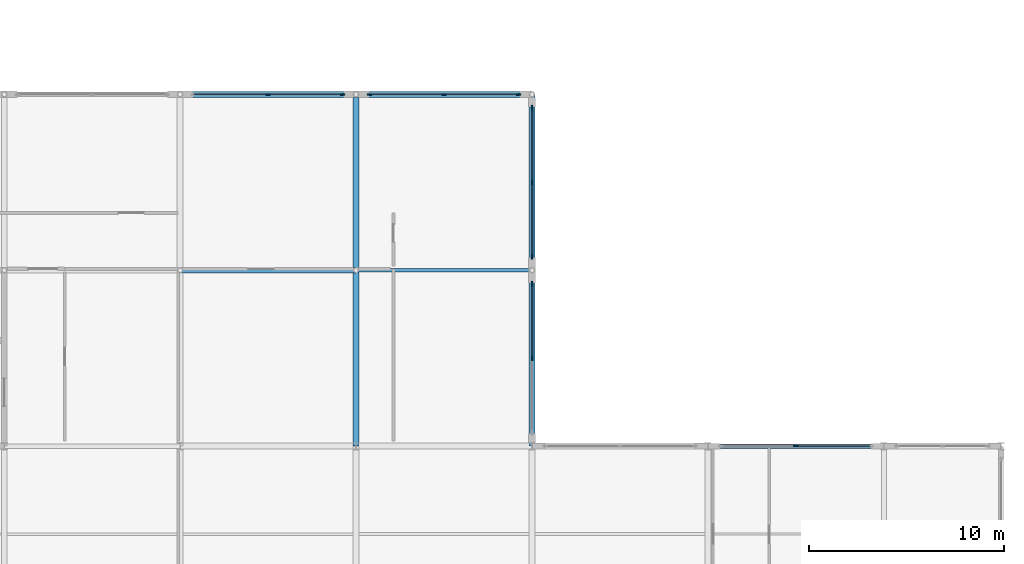
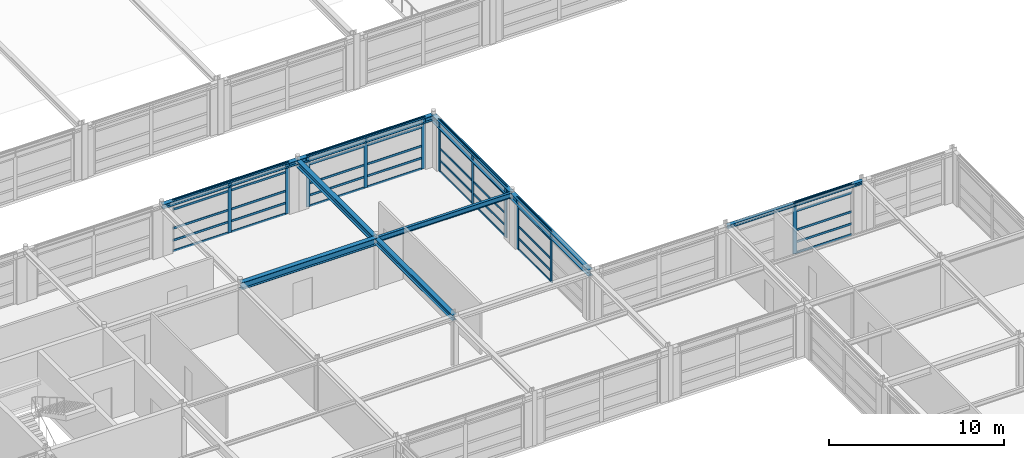
# One storey, part 45 of 79: 51 members, 9 beams, 5 elements without a shape of their own.
"""IFC4 building model written with IfcOpenShell, lengths in metres."""

import ifcopenshell
import ifcopenshell.guid

model = None  # the IFC model being written
_history = None  # IfcOwnerHistory: only IFC2X3 demands one
_inside = {}  # id of a spatial element -> (the spatial element, [elements in it])
_under = {}  # id of a project, library or spatial element -> (it, [spatial elements below it])
_declared = {}  # id of a project -> (the project, [libraries it declares])
_typed = {}  # id of a type object -> (the type object, [elements of that type])
_made_of = {}  # id of a material, layer set ... -> (it, [elements and type objects made of it])


def new_model(schema):
    """Start an empty IFC model of exactly this schema.

    Asked for "IFC4X3", IfcOpenShell would pick the latest addendum, in which some entities
    have other attributes; the version numbers below select the first issue.
    IFC2X3 requires an IfcOwnerHistory on every rooted entity: one is made here for all.
    """
    global model, _history
    if schema == "IFC4X3":
        model = ifcopenshell.file(schema_version=(4, 3, 0, 0))
    else:
        model = ifcopenshell.file(schema=schema)
    _inside.clear()
    _under.clear()
    _declared.clear()
    _typed.clear()
    _made_of.clear()
    _history = None
    if model.schema == "IFC2X3":
        org = make("IfcOrganization", Name="unknown")
        user = make(
            "IfcPersonAndOrganization",
            ThePerson=make("IfcPerson", FamilyName="unknown"),
            TheOrganization=org,
        )
        app = make(
            "IfcApplication",
            ApplicationDeveloper=org,
            Version="unknown",
            ApplicationFullName="unknown",
            ApplicationIdentifier="unknown",
        )
        _history = make(
            "IfcOwnerHistory",
            OwningUser=user,
            OwningApplication=app,
            ChangeAction="ADDED",
            CreationDate=0,
        )
    return model


def make(cls, **values):
    """One entity of the class cls with the attributes given. An attribute that is None is left unset."""
    return model.create_entity(
        cls, **{name: value for name, value in values.items() if value is not None}
    )


def rooted(cls, **values):
    """An entity with a GlobalId (a new one), such as an element, a storey or a relation."""
    return make(cls, GlobalId=ifcopenshell.guid.new(), OwnerHistory=_history, **values)


def si_unit(unit_type, name, prefix=None):
    """IfcSIUnit, for example si_unit("LENGTHUNIT", "METRE", prefix="MILLI")."""
    return make("IfcSIUnit", UnitType=unit_type, Prefix=prefix, Name=name)


def assignment(units):
    """IfcUnitAssignment: the units of a project."""
    return None if units is None else make("IfcUnitAssignment", Units=units)


def point(xyz):
    """IfcCartesianPoint."""
    return None if xyz is None else make("IfcCartesianPoint", Coordinates=xyz)


def direction(xyz):
    """IfcDirection."""
    return None if xyz is None else make("IfcDirection", DirectionRatios=xyz)


def frame(location, z_axis=None, x_axis=None):
    """IfcAxis2Placement3D, a coordinate frame: its origin and axes. An axis left out is left unset."""
    return make(
        "IfcAxis2Placement3D",
        Location=point(location),
        Axis=direction(z_axis),
        RefDirection=direction(x_axis),
    )


def frame_2d(location, x_axis=None):
    """IfcAxis2Placement2D, a coordinate frame in the plane: its origin and x axis."""
    return make(
        "IfcAxis2Placement2D", Location=point(location), RefDirection=direction(x_axis)
    )


def origin():
    """The frame at (0, 0, 0) with its axes left unset."""
    return frame((0.0, 0.0, 0.0))


def origin_2d():
    """The frame at (0, 0) in the plane with its x axis left unset."""
    return frame_2d((0.0, 0.0))


def place(relative_to, where):
    """IfcLocalPlacement: puts the frame where relative to a parent placement (None: the world)."""
    return make(
        "IfcLocalPlacement", PlacementRelTo=relative_to, RelativePlacement=where
    )


def context(
    kind, dimensions, precision=None, world=None, true_north=None, identifier=None
):
    """IfcGeometricRepresentationContext, for example the 3D "Model" context."""
    return make(
        "IfcGeometricRepresentationContext",
        ContextIdentifier=identifier,
        ContextType=kind,
        CoordinateSpaceDimension=dimensions,
        Precision=precision,
        WorldCoordinateSystem=world,
        TrueNorth=true_north,
    )


def subcontext(parent, identifier, kind, view, scale=None):
    """IfcGeometricRepresentationSubContext, for example "Body" below "Model"."""
    return make(
        "IfcGeometricRepresentationSubContext",
        ContextIdentifier=identifier,
        ContextType=kind,
        ParentContext=parent,
        TargetScale=scale,
        TargetView=view,
    )


def project(units=None, contexts=None):
    """IfcProject with its units and contexts."""
    return rooted(
        "IfcProject",
        Name="project",
        RepresentationContexts=contexts,
        UnitsInContext=assignment(units),
    )


def spatial(cls, under=None, at=None, **own):
    """A site, building, storey or space (cls), placed at a placement, below another one or the project."""
    s = rooted(cls, ObjectPlacement=at, **own)
    if under is not None:
        _under.setdefault(under.id(), (under, []))[1].append(s)
    return s


def profile(cls, at=None, kind="AREA", **sizes):
    """A parametric profile (cls). Its sizes go by their IFC names, for example OverallWidth=200.0."""
    return make(cls, ProfileType=kind, Position=at, **sizes)


def rectangle(**sizes):
    """IfcRectangleProfileDef."""
    return profile("IfcRectangleProfileDef", **sizes)


def i_section(**sizes):
    """IfcIShapeProfileDef."""
    return profile("IfcIShapeProfileDef", **sizes)


def extrude(swept, where, along, depth):
    """IfcExtrudedAreaSolid: the profile swept, set in the frame where, extruded along a direction by depth."""
    return make(
        "IfcExtrudedAreaSolid",
        SweptArea=swept,
        Position=where,
        ExtrudedDirection=direction(along),
        Depth=depth,
    )


def shape(context_of_items, identifier, shape_type, items):
    """IfcShapeRepresentation: the items that make up one representation, for example the "Body"."""
    return make(
        "IfcShapeRepresentation",
        ContextOfItems=context_of_items,
        RepresentationIdentifier=identifier,
        RepresentationType=shape_type,
        Items=items,
    )


def material(Name=None, Category=None):
    """IfcMaterial."""
    return make("IfcMaterial", Name=Name, Category=Category)


def material_profile(
    of_material, cross_section, Name=None, Category=None, Priority=None
):
    """IfcMaterialProfile: a cross section and its material."""
    return make(
        "IfcMaterialProfile",
        Name=Name,
        Material=of_material,
        Profile=cross_section,
        Priority=Priority,
        Category=Category,
    )


def profile_set(profiles, Name=None, composite=None):
    """IfcMaterialProfileSet."""
    return make(
        "IfcMaterialProfileSet",
        Name=Name,
        MaterialProfiles=profiles,
        CompositeProfile=composite,
    )


def made_of(thing, what):
    """Note that an element or type object is made of a material, layer set ...; save() writes the relation."""
    if what is not None:
        _made_of.setdefault(what.id(), (what, []))[1].append(thing)
    return thing


def type_object(cls, material=None, **own):
    """A type object (cls), such as IfcWallType, which elements share."""
    return made_of(rooted(cls, **own), material)


def element(
    cls,
    number,
    at=None,
    inside=None,
    cuts=None,
    type_object=None,
    material=None,
    context=None,
    identifier="Body",
    shape_type=None,
    held_by="IfcProductDefinitionShape",
    body=None,
    shapes=None,
    **own,
):
    """One element of the class cls, such as IfcWall. Its Tag is "e" and its number.

    at: its placement. inside: the storey or other place that contains it. cuts: it is an
    opening in that element (IfcRelVoidsElement). A single representation is given by context,
    identifier, shape_type and body (its items); several are given by shapes. held_by: the class
    of the entity that holds the representations. save() writes the other relations.
    """
    e = rooted(cls, Tag="e%d" % number, ObjectPlacement=at, **own)
    if body is not None:
        shapes = [shape(context, identifier, shape_type, body)]
    if shapes is not None:
        e.Representation = make(held_by, Representations=shapes)
    if inside is not None:
        _inside.setdefault(inside.id(), (inside, []))[1].append(e)
    if cuts is not None:
        rooted(
            "IfcRelVoidsElement", RelatingBuildingElement=cuts, RelatedOpeningElement=e
        )
    if type_object is not None:
        _typed.setdefault(type_object.id(), (type_object, []))[1].append(e)
    return made_of(e, material)


def aggregate(whole, parts):
    """IfcRelAggregates: a whole, such as a stair, and the parts it consists of."""
    return rooted("IfcRelAggregates", RelatingObject=whole, RelatedObjects=parts)


def save(model, path):
    """Write the relations noted so far, then the file.

    IfcRelAggregates (storeys below a building ...), IfcRelContainedInSpatialStructure (elements
    in a storey), IfcRelDefinesByType, IfcRelAssociatesMaterial and IfcRelDeclares: one each for
    every whole, place, type object, material and project.
    """
    for whole, parts in _under.values():
        aggregate(whole, parts)
    for where, things in _inside.values():
        rooted(
            "IfcRelContainedInSpatialStructure",
            RelatedElements=things,
            RelatingStructure=where,
        )
    for kind, things in _typed.values():
        rooted("IfcRelDefinesByType", RelatedObjects=things, RelatingType=kind)
    for what, things in _made_of.values():
        rooted("IfcRelAssociatesMaterial", RelatedObjects=things, RelatingMaterial=what)
    for by, libraries in _declared.values():
        rooted("IfcRelDeclares", RelatingContext=by, RelatedDefinitions=libraries)
    model.write(path)


model = new_model("IFC4")

# Units and contexts
model_context = context("Model", 3, precision=1e-05, world=origin(), true_north=direction((0.0, 1.0)))
body_context = subcontext(model_context, "Body", "Model", "MODEL_VIEW")
ifc_project = project(units=[si_unit("LENGTHUNIT", "METRE"), si_unit("AREAUNIT", "SQUARE_METRE"), si_unit("VOLUMEUNIT", "CUBIC_METRE"), si_unit("PLANEANGLEUNIT", "RADIAN"), si_unit("MASSUNIT", "GRAM", prefix="KILO")], contexts=[model_context])

# Site, building, storey
site_placement = place(None, origin())
site = spatial("IfcSite", under=ifc_project, at=site_placement, CompositionType="ELEMENT")
building_placement = place(site_placement, origin())
building = spatial("IfcBuilding", under=site, at=building_placement, Name="Palais des Congres Ocreval", CompositionType="ELEMENT")
storey_placement = place(building_placement, frame((0.0, 0.0, 4.320068359375)))
storey = spatial("IfcBuildingStorey", under=building, at=storey_placement, Name="L01", CompositionType="ELEMENT", Elevation=4.320068359375)

# Beam
ifc_material_1 = material(Name="Steel S355", Category="steel")
ifc_material_profile_1 = material_profile(ifc_material_1, i_section(OverallWidth=0.169921875, OverallDepth=0.360107421875, WebThickness=0.008056640625, FlangeThickness=0.0126953125, at=origin_2d()), Name="IPE 360")
ifc_profile_set_1 = profile_set([ifc_material_profile_1], Name="Steel S355")
beam_type_1 = type_object("IfcBeamType", Name="Composite Beam IPE 360 Steel S355", PredefinedType="BEAM", material=ifc_profile_set_1)
beam_1_placement = place(storey_placement, frame((135.02001953125, 54.0, 3.39990234375), z_axis=(1.0, 0.0, 0.0), x_axis=(0.0, 1.0, 0.0)))
element("IfcBeam", 1, at=beam_1_placement, inside=storey, type_object=beam_type_1, Name="Beam B01 L01", PredefinedType="BEAM", context=body_context, shape_type="SweptSolid", body=[
    extrude(i_section(OverallWidth=0.169921875, OverallDepth=0.360107421875, WebThickness=0.008056640625, FlangeThickness=0.0126953125, at=origin_2d()), origin(), (0.0, 0.0, 1.0), 8.9599609375),
])

# Curtain wall, members
ifc_material_2 = material(Name="Anodized bronze aluminium and low-E glass", Category="glass")
curtain_wall_type = type_object("IfcCurtainWallType", Name="Unitised Curtain Wall 7900x3660", PredefinedType="USERDEFINED", material=ifc_material_2)
curtain_wall_1_placement = place(storey_placement, origin())
curtain_wall_1 = element("IfcCurtainWall", 2, at=curtain_wall_1_placement, inside=storey, type_object=curtain_wall_type, Name="Unitised Curtain Wall CW02 L01", ObjectType="UNITISED CURTAIN WALL", PredefinedType="USERDEFINED")
ifc_material_3 = material(Name="Anodized bronze aluminium", Category="aluminium")
ifc_material_profile_2 = material_profile(ifc_material_3, rectangle(XDim=0.074951171875, YDim=0.239990234375, at=origin_2d()), Name="ALU 75x240")
ifc_profile_set_2 = profile_set([ifc_material_profile_2], Name="Anodized bronze aluminium")
member_type_1 = type_object("IfcMemberType", Name="Curtain Wall Mullion ALU 75x240", PredefinedType="MULLION", material=ifc_profile_set_2)
member_1_placement = place(storey_placement, frame((130.5, 63.0, 0.0), z_axis=(0.0, 0.0, 1.0), x_axis=(0.0, 1.0, 0.0)))
member_1 = element("IfcMember", 3, at=member_1_placement, type_object=member_type_1, Name="Curtain Wall Mullion ML01", PredefinedType="MULLION", context=body_context, shape_type="SweptSolid", body=[
    extrude(rectangle(XDim=0.074951171875, YDim=0.239990234375, at=origin_2d()), origin(), (0.0, 0.0, 1.0), 3.58984375),
])
member_2_placement = place(storey_placement, frame((134.3125, 63.0, 0.0), z_axis=(0.0, 0.0, 1.0), x_axis=(0.0, 1.0, 0.0)))
member_2 = element("IfcMember", 4, at=member_2_placement, type_object=member_type_1, Name="Curtain Wall Mullion ML01", PredefinedType="MULLION", context=body_context, shape_type="SweptSolid", body=[
    extrude(rectangle(XDim=0.074951171875, YDim=0.239990234375, at=origin_2d()), origin(), (0.0, 0.0, 1.0), 3.58984375),
])

curtain_wall_2_placement = place(storey_placement, origin())
curtain_wall_2 = element("IfcCurtainWall", 5, at=curtain_wall_2_placement, inside=storey, type_object=curtain_wall_type, Name="Unitised Curtain Wall CW02 L01", ObjectType="UNITISED CURTAIN WALL", PredefinedType="USERDEFINED")
member_3_placement = place(storey_placement, frame((135.6875, 63.0, 0.0), z_axis=(0.0, 0.0, 1.0), x_axis=(0.0, 1.0, 0.0)))
member_3 = element("IfcMember", 6, at=member_3_placement, type_object=member_type_1, Name="Curtain Wall Mullion ML01", PredefinedType="MULLION", context=body_context, shape_type="SweptSolid", body=[
    extrude(rectangle(XDim=0.074951171875, YDim=0.239990234375, at=origin_2d()), origin(), (0.0, 0.0, 1.0), 3.58984375),
])
member_4_placement = place(storey_placement, frame((139.5, 63.0, 0.0), z_axis=(0.0, 0.0, 1.0), x_axis=(0.0, 1.0, 0.0)))
member_4 = element("IfcMember", 7, at=member_4_placement, type_object=member_type_1, Name="Curtain Wall Mullion ML01", PredefinedType="MULLION", context=body_context, shape_type="SweptSolid", body=[
    extrude(rectangle(XDim=0.074951171875, YDim=0.239990234375, at=origin_2d()), origin(), (0.0, 0.0, 1.0), 3.58984375),
])
member_5_placement = place(storey_placement, frame((143.3125, 63.0, 0.0), z_axis=(0.0, 0.0, 1.0), x_axis=(0.0, 1.0, 0.0)))
member_5 = element("IfcMember", 8, at=member_5_placement, type_object=member_type_1, Name="Curtain Wall Mullion ML01", PredefinedType="MULLION", context=body_context, shape_type="SweptSolid", body=[
    extrude(rectangle(XDim=0.074951171875, YDim=0.239990234375, at=origin_2d()), origin(), (0.0, 0.0, 1.0), 3.58984375),
])

curtain_wall_3_placement = place(storey_placement, origin())
curtain_wall_3 = element("IfcCurtainWall", 9, at=curtain_wall_3_placement, inside=storey, type_object=curtain_wall_type, Name="Unitised Curtain Wall CW02 L01", ObjectType="UNITISED CURTAIN WALL", PredefinedType="USERDEFINED")
member_6_placement = place(storey_placement, frame((144.0, 62.3125, 0.0), z_axis=(0.0, 0.0, 1.0), x_axis=(1.0, 0.0, 0.0)))
member_6 = element("IfcMember", 10, at=member_6_placement, type_object=member_type_1, Name="Curtain Wall Mullion ML01", PredefinedType="MULLION", context=body_context, shape_type="SweptSolid", body=[
    extrude(rectangle(XDim=0.074951171875, YDim=0.239990234375, at=origin_2d()), origin(), (0.0, 0.0, 1.0), 3.58984375),
])
member_7_placement = place(storey_placement, frame((144.0, 58.5, 0.0), z_axis=(0.0, 0.0, 1.0), x_axis=(1.0, 0.0, 0.0)))
member_7 = element("IfcMember", 11, at=member_7_placement, type_object=member_type_1, Name="Curtain Wall Mullion ML01", PredefinedType="MULLION", context=body_context, shape_type="SweptSolid", body=[
    extrude(rectangle(XDim=0.074951171875, YDim=0.239990234375, at=origin_2d()), origin(), (0.0, 0.0, 1.0), 3.58984375),
])
member_8_placement = place(storey_placement, frame((144.0, 54.6875, 0.0), z_axis=(0.0, 0.0, 1.0), x_axis=(1.0, 0.0, 0.0)))
member_8 = element("IfcMember", 12, at=member_8_placement, type_object=member_type_1, Name="Curtain Wall Mullion ML01", PredefinedType="MULLION", context=body_context, shape_type="SweptSolid", body=[
    extrude(rectangle(XDim=0.074951171875, YDim=0.239990234375, at=origin_2d()), origin(), (0.0, 0.0, 1.0), 3.58984375),
])

curtain_wall_4_placement = place(storey_placement, origin())
curtain_wall_4 = element("IfcCurtainWall", 13, at=curtain_wall_4_placement, inside=storey, type_object=curtain_wall_type, Name="Unitised Curtain Wall CW02 L01", ObjectType="UNITISED CURTAIN WALL", PredefinedType="USERDEFINED")
member_9_placement = place(storey_placement, frame((144.0, 53.3125, 0.0), z_axis=(0.0, 0.0, 1.0), x_axis=(1.0, 0.0, 0.0)))
member_9 = element("IfcMember", 14, at=member_9_placement, type_object=member_type_1, Name="Curtain Wall Mullion ML01", PredefinedType="MULLION", context=body_context, shape_type="SweptSolid", body=[
    extrude(rectangle(XDim=0.074951171875, YDim=0.239990234375, at=origin_2d()), origin(), (0.0, 0.0, 1.0), 3.58984375),
])
member_10_placement = place(storey_placement, frame((144.0, 49.5, 0.0), z_axis=(0.0, 0.0, 1.0), x_axis=(1.0, 0.0, 0.0)))
member_10 = element("IfcMember", 15, at=member_10_placement, type_object=member_type_1, Name="Curtain Wall Mullion ML01", PredefinedType="MULLION", context=body_context, shape_type="SweptSolid", body=[
    extrude(rectangle(XDim=0.074951171875, YDim=0.239990234375, at=origin_2d()), origin(), (0.0, 0.0, 1.0), 3.58984375),
])

# Curtain wall, member
curtain_wall_5_placement = place(storey_placement, origin())
curtain_wall_5 = element("IfcCurtainWall", 16, at=curtain_wall_5_placement, inside=storey, type_object=curtain_wall_type, Name="Unitised Curtain Wall CW02 L01", ObjectType="UNITISED CURTAIN WALL", PredefinedType="USERDEFINED")
member_11_placement = place(storey_placement, frame((157.5, 45.0, 0.0), z_axis=(0.0, 0.0, 1.0), x_axis=(0.0, 1.0, 0.0)))
member_11 = element("IfcMember", 17, at=member_11_placement, type_object=member_type_1, Name="Curtain Wall Mullion ML01", PredefinedType="MULLION", context=body_context, shape_type="SweptSolid", body=[
    extrude(rectangle(XDim=0.074951171875, YDim=0.239990234375, at=origin_2d()), origin(), (0.0, 0.0, 1.0), 3.599853515625),
])

# Member
ifc_material_profile_3 = material_profile(ifc_material_3, rectangle(XDim=0.06005859375, YDim=0.14990234375, at=origin_2d()), Name="ALU 60x150")
ifc_profile_set_3 = profile_set([ifc_material_profile_3], Name="Anodized bronze aluminium")
member_type_2 = type_object("IfcMemberType", Name="Curtain Wall Transom ALU 60x150", PredefinedType="USERDEFINED", material=ifc_profile_set_3)
member_12_placement = place(storey_placement, frame((126.72509765625, 63.0, 0.030029296875), z_axis=(1.0, 0.0, 0.0), x_axis=(0.0, 1.0, 0.0)))
member_12 = element("IfcMember", 18, at=member_12_placement, type_object=member_type_2, Name="Curtain Wall Transom TR01", ObjectType="TRANSOM", PredefinedType="USERDEFINED", context=body_context, shape_type="SweptSolid", body=[
    extrude(rectangle(XDim=0.06005859375, YDim=0.14990234375, at=origin_2d()), origin(), (0.0, 0.0, 1.0), 3.7373046875),
])

member_13_placement = place(storey_placement, frame((126.72509765625, 63.0, 0.780029296875), z_axis=(1.0, 0.0, 0.0), x_axis=(0.0, 1.0, 0.0)))
member_13 = element("IfcMember", 19, at=member_13_placement, type_object=member_type_2, Name="Curtain Wall Transom TR01", ObjectType="TRANSOM", PredefinedType="USERDEFINED", context=body_context, shape_type="SweptSolid", body=[
    extrude(rectangle(XDim=0.06005859375, YDim=0.14990234375, at=origin_2d()), origin(), (0.0, 0.0, 1.0), 3.7373046875),
])

member_14_placement = place(storey_placement, frame((126.72509765625, 63.0, 1.616943359375), z_axis=(1.0, 0.0, 0.0), x_axis=(0.0, 1.0, 0.0)))
member_14 = element("IfcMember", 20, at=member_14_placement, type_object=member_type_2, Name="Curtain Wall Transom TR01", ObjectType="TRANSOM", PredefinedType="USERDEFINED", context=body_context, shape_type="SweptSolid", body=[
    extrude(rectangle(XDim=0.06005859375, YDim=0.14990234375, at=origin_2d()), origin(), (0.0, 0.0, 1.0), 3.7373046875),
])

member_15_placement = place(storey_placement, frame((126.72509765625, 63.0, 2.93994140625), z_axis=(1.0, 0.0, 0.0), x_axis=(0.0, 1.0, 0.0)))
member_15 = element("IfcMember", 21, at=member_15_placement, type_object=member_type_2, Name="Curtain Wall Transom TR01", ObjectType="TRANSOM", PredefinedType="USERDEFINED", context=body_context, shape_type="SweptSolid", body=[
    extrude(rectangle(XDim=0.06005859375, YDim=0.14990234375, at=origin_2d()), origin(), (0.0, 0.0, 1.0), 3.7373046875),
])

member_16_placement = place(storey_placement, frame((126.72509765625, 63.0, 3.559814453125), z_axis=(1.0, 0.0, 0.0), x_axis=(0.0, 1.0, 0.0)))
member_16 = element("IfcMember", 22, at=member_16_placement, type_object=member_type_2, Name="Curtain Wall Transom TR01", ObjectType="TRANSOM", PredefinedType="USERDEFINED", context=body_context, shape_type="SweptSolid", body=[
    extrude(rectangle(XDim=0.06005859375, YDim=0.14990234375, at=origin_2d()), origin(), (0.0, 0.0, 1.0), 3.7373046875),
])

member_17_placement = place(storey_placement, frame((130.53759765625, 63.0, 0.030029296875), z_axis=(1.0, 0.0, 0.0), x_axis=(0.0, 1.0, 0.0)))
member_17 = element("IfcMember", 23, at=member_17_placement, type_object=member_type_2, Name="Curtain Wall Transom TR01", ObjectType="TRANSOM", PredefinedType="USERDEFINED", context=body_context, shape_type="SweptSolid", body=[
    extrude(rectangle(XDim=0.06005859375, YDim=0.14990234375, at=origin_2d()), origin(), (0.0, 0.0, 1.0), 3.7373046875),
])

member_18_placement = place(storey_placement, frame((130.53759765625, 63.0, 0.780029296875), z_axis=(1.0, 0.0, 0.0), x_axis=(0.0, 1.0, 0.0)))
member_18 = element("IfcMember", 24, at=member_18_placement, type_object=member_type_2, Name="Curtain Wall Transom TR01", ObjectType="TRANSOM", PredefinedType="USERDEFINED", context=body_context, shape_type="SweptSolid", body=[
    extrude(rectangle(XDim=0.06005859375, YDim=0.14990234375, at=origin_2d()), origin(), (0.0, 0.0, 1.0), 3.7373046875),
])

member_19_placement = place(storey_placement, frame((130.53759765625, 63.0, 1.616943359375), z_axis=(1.0, 0.0, 0.0), x_axis=(0.0, 1.0, 0.0)))
member_19 = element("IfcMember", 25, at=member_19_placement, type_object=member_type_2, Name="Curtain Wall Transom TR01", ObjectType="TRANSOM", PredefinedType="USERDEFINED", context=body_context, shape_type="SweptSolid", body=[
    extrude(rectangle(XDim=0.06005859375, YDim=0.14990234375, at=origin_2d()), origin(), (0.0, 0.0, 1.0), 3.7373046875),
])

member_20_placement = place(storey_placement, frame((130.53759765625, 63.0, 2.93994140625), z_axis=(1.0, 0.0, 0.0), x_axis=(0.0, 1.0, 0.0)))
member_20 = element("IfcMember", 26, at=member_20_placement, type_object=member_type_2, Name="Curtain Wall Transom TR01", ObjectType="TRANSOM", PredefinedType="USERDEFINED", context=body_context, shape_type="SweptSolid", body=[
    extrude(rectangle(XDim=0.06005859375, YDim=0.14990234375, at=origin_2d()), origin(), (0.0, 0.0, 1.0), 3.7373046875),
])

member_21_placement = place(storey_placement, frame((130.53759765625, 63.0, 3.559814453125), z_axis=(1.0, 0.0, 0.0), x_axis=(0.0, 1.0, 0.0)))
member_21 = element("IfcMember", 27, at=member_21_placement, type_object=member_type_2, Name="Curtain Wall Transom TR01", ObjectType="TRANSOM", PredefinedType="USERDEFINED", context=body_context, shape_type="SweptSolid", body=[
    extrude(rectangle(XDim=0.06005859375, YDim=0.14990234375, at=origin_2d()), origin(), (0.0, 0.0, 1.0), 3.7373046875),
])

aggregate(curtain_wall_1, [member_1, member_2, member_12, member_13, member_14, member_15, member_16, member_17, member_18, member_19, member_20, member_21])

member_22_placement = place(storey_placement, frame((135.72509765625, 63.0, 0.030029296875), z_axis=(1.0, 0.0, 0.0), x_axis=(0.0, 1.0, 0.0)))
member_22 = element("IfcMember", 28, at=member_22_placement, type_object=member_type_2, Name="Curtain Wall Transom TR01", ObjectType="TRANSOM", PredefinedType="USERDEFINED", context=body_context, shape_type="SweptSolid", body=[
    extrude(rectangle(XDim=0.06005859375, YDim=0.14990234375, at=origin_2d()), origin(), (0.0, 0.0, 1.0), 3.7373046875),
])

member_23_placement = place(storey_placement, frame((135.72509765625, 63.0, 0.780029296875), z_axis=(1.0, 0.0, 0.0), x_axis=(0.0, 1.0, 0.0)))
member_23 = element("IfcMember", 29, at=member_23_placement, type_object=member_type_2, Name="Curtain Wall Transom TR01", ObjectType="TRANSOM", PredefinedType="USERDEFINED", context=body_context, shape_type="SweptSolid", body=[
    extrude(rectangle(XDim=0.06005859375, YDim=0.14990234375, at=origin_2d()), origin(), (0.0, 0.0, 1.0), 3.7373046875),
])

member_24_placement = place(storey_placement, frame((135.72509765625, 63.0, 1.616943359375), z_axis=(1.0, 0.0, 0.0), x_axis=(0.0, 1.0, 0.0)))
member_24 = element("IfcMember", 30, at=member_24_placement, type_object=member_type_2, Name="Curtain Wall Transom TR01", ObjectType="TRANSOM", PredefinedType="USERDEFINED", context=body_context, shape_type="SweptSolid", body=[
    extrude(rectangle(XDim=0.06005859375, YDim=0.14990234375, at=origin_2d()), origin(), (0.0, 0.0, 1.0), 3.7373046875),
])

member_25_placement = place(storey_placement, frame((135.72509765625, 63.0, 2.93994140625), z_axis=(1.0, 0.0, 0.0), x_axis=(0.0, 1.0, 0.0)))
member_25 = element("IfcMember", 31, at=member_25_placement, type_object=member_type_2, Name="Curtain Wall Transom TR01", ObjectType="TRANSOM", PredefinedType="USERDEFINED", context=body_context, shape_type="SweptSolid", body=[
    extrude(rectangle(XDim=0.06005859375, YDim=0.14990234375, at=origin_2d()), origin(), (0.0, 0.0, 1.0), 3.7373046875),
])

member_26_placement = place(storey_placement, frame((135.72509765625, 63.0, 3.559814453125), z_axis=(1.0, 0.0, 0.0), x_axis=(0.0, 1.0, 0.0)))
member_26 = element("IfcMember", 32, at=member_26_placement, type_object=member_type_2, Name="Curtain Wall Transom TR01", ObjectType="TRANSOM", PredefinedType="USERDEFINED", context=body_context, shape_type="SweptSolid", body=[
    extrude(rectangle(XDim=0.06005859375, YDim=0.14990234375, at=origin_2d()), origin(), (0.0, 0.0, 1.0), 3.7373046875),
])

member_27_placement = place(storey_placement, frame((139.53759765625, 63.0, 0.030029296875), z_axis=(1.0, 0.0, 0.0), x_axis=(0.0, 1.0, 0.0)))
member_27 = element("IfcMember", 33, at=member_27_placement, type_object=member_type_2, Name="Curtain Wall Transom TR01", ObjectType="TRANSOM", PredefinedType="USERDEFINED", context=body_context, shape_type="SweptSolid", body=[
    extrude(rectangle(XDim=0.06005859375, YDim=0.14990234375, at=origin_2d()), origin(), (0.0, 0.0, 1.0), 3.7373046875),
])

member_28_placement = place(storey_placement, frame((139.53759765625, 63.0, 0.780029296875), z_axis=(1.0, 0.0, 0.0), x_axis=(0.0, 1.0, 0.0)))
member_28 = element("IfcMember", 34, at=member_28_placement, type_object=member_type_2, Name="Curtain Wall Transom TR01", ObjectType="TRANSOM", PredefinedType="USERDEFINED", context=body_context, shape_type="SweptSolid", body=[
    extrude(rectangle(XDim=0.06005859375, YDim=0.14990234375, at=origin_2d()), origin(), (0.0, 0.0, 1.0), 3.7373046875),
])

member_29_placement = place(storey_placement, frame((139.53759765625, 63.0, 1.616943359375), z_axis=(1.0, 0.0, 0.0), x_axis=(0.0, 1.0, 0.0)))
member_29 = element("IfcMember", 35, at=member_29_placement, type_object=member_type_2, Name="Curtain Wall Transom TR01", ObjectType="TRANSOM", PredefinedType="USERDEFINED", context=body_context, shape_type="SweptSolid", body=[
    extrude(rectangle(XDim=0.06005859375, YDim=0.14990234375, at=origin_2d()), origin(), (0.0, 0.0, 1.0), 3.7373046875),
])

member_30_placement = place(storey_placement, frame((139.53759765625, 63.0, 2.93994140625), z_axis=(1.0, 0.0, 0.0), x_axis=(0.0, 1.0, 0.0)))
member_30 = element("IfcMember", 36, at=member_30_placement, type_object=member_type_2, Name="Curtain Wall Transom TR01", ObjectType="TRANSOM", PredefinedType="USERDEFINED", context=body_context, shape_type="SweptSolid", body=[
    extrude(rectangle(XDim=0.06005859375, YDim=0.14990234375, at=origin_2d()), origin(), (0.0, 0.0, 1.0), 3.7373046875),
])

member_31_placement = place(storey_placement, frame((139.53759765625, 63.0, 3.559814453125), z_axis=(1.0, 0.0, 0.0), x_axis=(0.0, 1.0, 0.0)))
member_31 = element("IfcMember", 37, at=member_31_placement, type_object=member_type_2, Name="Curtain Wall Transom TR01", ObjectType="TRANSOM", PredefinedType="USERDEFINED", context=body_context, shape_type="SweptSolid", body=[
    extrude(rectangle(XDim=0.06005859375, YDim=0.14990234375, at=origin_2d()), origin(), (0.0, 0.0, 1.0), 3.7373046875),
])

aggregate(curtain_wall_2, [member_3, member_4, member_5, member_22, member_23, member_24, member_25, member_26, member_27, member_28, member_29, member_30, member_31])

member_32_placement = place(storey_placement, frame((144.0, 62.27490234375, 0.030029296875), z_axis=(0.0, -1.0, 0.0), x_axis=(1.0, 0.0, 0.0)))
member_32 = element("IfcMember", 38, at=member_32_placement, type_object=member_type_2, Name="Curtain Wall Transom TR01", ObjectType="TRANSOM", PredefinedType="USERDEFINED", context=body_context, shape_type="SweptSolid", body=[
    extrude(rectangle(XDim=0.06005859375, YDim=0.14990234375, at=origin_2d()), origin(), (0.0, 0.0, 1.0), 3.7373046875),
])

member_33_placement = place(storey_placement, frame((144.0, 62.27490234375, 0.780029296875), z_axis=(0.0, -1.0, 0.0), x_axis=(1.0, 0.0, 0.0)))
member_33 = element("IfcMember", 39, at=member_33_placement, type_object=member_type_2, Name="Curtain Wall Transom TR01", ObjectType="TRANSOM", PredefinedType="USERDEFINED", context=body_context, shape_type="SweptSolid", body=[
    extrude(rectangle(XDim=0.06005859375, YDim=0.14990234375, at=origin_2d()), origin(), (0.0, 0.0, 1.0), 3.7373046875),
])

member_34_placement = place(storey_placement, frame((144.0, 62.27490234375, 1.616943359375), z_axis=(0.0, -1.0, 0.0), x_axis=(1.0, 0.0, 0.0)))
member_34 = element("IfcMember", 40, at=member_34_placement, type_object=member_type_2, Name="Curtain Wall Transom TR01", ObjectType="TRANSOM", PredefinedType="USERDEFINED", context=body_context, shape_type="SweptSolid", body=[
    extrude(rectangle(XDim=0.06005859375, YDim=0.14990234375, at=origin_2d()), origin(), (0.0, 0.0, 1.0), 3.7373046875),
])

member_35_placement = place(storey_placement, frame((144.0, 62.27490234375, 2.93994140625), z_axis=(0.0, -1.0, 0.0), x_axis=(1.0, 0.0, 0.0)))
member_35 = element("IfcMember", 41, at=member_35_placement, type_object=member_type_2, Name="Curtain Wall Transom TR01", ObjectType="TRANSOM", PredefinedType="USERDEFINED", context=body_context, shape_type="SweptSolid", body=[
    extrude(rectangle(XDim=0.06005859375, YDim=0.14990234375, at=origin_2d()), origin(), (0.0, 0.0, 1.0), 3.7373046875),
])

member_36_placement = place(storey_placement, frame((144.0, 62.27490234375, 3.559814453125), z_axis=(0.0, -1.0, 0.0), x_axis=(1.0, 0.0, 0.0)))
member_36 = element("IfcMember", 42, at=member_36_placement, type_object=member_type_2, Name="Curtain Wall Transom TR01", ObjectType="TRANSOM", PredefinedType="USERDEFINED", context=body_context, shape_type="SweptSolid", body=[
    extrude(rectangle(XDim=0.06005859375, YDim=0.14990234375, at=origin_2d()), origin(), (0.0, 0.0, 1.0), 3.7373046875),
])

member_37_placement = place(storey_placement, frame((144.0, 58.46240234375, 0.030029296875), z_axis=(0.0, -1.0, 0.0), x_axis=(1.0, 0.0, 0.0)))
member_37 = element("IfcMember", 43, at=member_37_placement, type_object=member_type_2, Name="Curtain Wall Transom TR01", ObjectType="TRANSOM", PredefinedType="USERDEFINED", context=body_context, shape_type="SweptSolid", body=[
    extrude(rectangle(XDim=0.06005859375, YDim=0.14990234375, at=origin_2d()), origin(), (0.0, 0.0, 1.0), 3.7373046875),
])

member_38_placement = place(storey_placement, frame((144.0, 58.46240234375, 0.780029296875), z_axis=(0.0, -1.0, 0.0), x_axis=(1.0, 0.0, 0.0)))
member_38 = element("IfcMember", 44, at=member_38_placement, type_object=member_type_2, Name="Curtain Wall Transom TR01", ObjectType="TRANSOM", PredefinedType="USERDEFINED", context=body_context, shape_type="SweptSolid", body=[
    extrude(rectangle(XDim=0.06005859375, YDim=0.14990234375, at=origin_2d()), origin(), (0.0, 0.0, 1.0), 3.7373046875),
])

member_39_placement = place(storey_placement, frame((144.0, 58.46240234375, 1.616943359375), z_axis=(0.0, -1.0, 0.0), x_axis=(1.0, 0.0, 0.0)))
member_39 = element("IfcMember", 45, at=member_39_placement, type_object=member_type_2, Name="Curtain Wall Transom TR01", ObjectType="TRANSOM", PredefinedType="USERDEFINED", context=body_context, shape_type="SweptSolid", body=[
    extrude(rectangle(XDim=0.06005859375, YDim=0.14990234375, at=origin_2d()), origin(), (0.0, 0.0, 1.0), 3.7373046875),
])

member_40_placement = place(storey_placement, frame((144.0, 58.46240234375, 2.93994140625), z_axis=(0.0, -1.0, 0.0), x_axis=(1.0, 0.0, 0.0)))
member_40 = element("IfcMember", 46, at=member_40_placement, type_object=member_type_2, Name="Curtain Wall Transom TR01", ObjectType="TRANSOM", PredefinedType="USERDEFINED", context=body_context, shape_type="SweptSolid", body=[
    extrude(rectangle(XDim=0.06005859375, YDim=0.14990234375, at=origin_2d()), origin(), (0.0, 0.0, 1.0), 3.7373046875),
])

member_41_placement = place(storey_placement, frame((144.0, 58.46240234375, 3.559814453125), z_axis=(0.0, -1.0, 0.0), x_axis=(1.0, 0.0, 0.0)))
member_41 = element("IfcMember", 47, at=member_41_placement, type_object=member_type_2, Name="Curtain Wall Transom TR01", ObjectType="TRANSOM", PredefinedType="USERDEFINED", context=body_context, shape_type="SweptSolid", body=[
    extrude(rectangle(XDim=0.06005859375, YDim=0.14990234375, at=origin_2d()), origin(), (0.0, 0.0, 1.0), 3.7373046875),
])

aggregate(curtain_wall_3, [member_6, member_7, member_8, member_32, member_33, member_34, member_35, member_36, member_37, member_38, member_39, member_40, member_41])

member_42_placement = place(storey_placement, frame((144.0, 53.27490234375, 0.030029296875), z_axis=(0.0, -1.0, 0.0), x_axis=(1.0, 0.0, 0.0)))
member_42 = element("IfcMember", 48, at=member_42_placement, type_object=member_type_2, Name="Curtain Wall Transom TR01", ObjectType="TRANSOM", PredefinedType="USERDEFINED", context=body_context, shape_type="SweptSolid", body=[
    extrude(rectangle(XDim=0.06005859375, YDim=0.14990234375, at=origin_2d()), origin(), (0.0, 0.0, 1.0), 3.7373046875),
])

member_43_placement = place(storey_placement, frame((144.0, 53.27490234375, 0.780029296875), z_axis=(0.0, -1.0, 0.0), x_axis=(1.0, 0.0, 0.0)))
member_43 = element("IfcMember", 49, at=member_43_placement, type_object=member_type_2, Name="Curtain Wall Transom TR01", ObjectType="TRANSOM", PredefinedType="USERDEFINED", context=body_context, shape_type="SweptSolid", body=[
    extrude(rectangle(XDim=0.06005859375, YDim=0.14990234375, at=origin_2d()), origin(), (0.0, 0.0, 1.0), 3.7373046875),
])

member_44_placement = place(storey_placement, frame((144.0, 53.27490234375, 1.616943359375), z_axis=(0.0, -1.0, 0.0), x_axis=(1.0, 0.0, 0.0)))
member_44 = element("IfcMember", 50, at=member_44_placement, type_object=member_type_2, Name="Curtain Wall Transom TR01", ObjectType="TRANSOM", PredefinedType="USERDEFINED", context=body_context, shape_type="SweptSolid", body=[
    extrude(rectangle(XDim=0.06005859375, YDim=0.14990234375, at=origin_2d()), origin(), (0.0, 0.0, 1.0), 3.7373046875),
])

member_45_placement = place(storey_placement, frame((144.0, 53.27490234375, 2.93994140625), z_axis=(0.0, -1.0, 0.0), x_axis=(1.0, 0.0, 0.0)))
member_45 = element("IfcMember", 51, at=member_45_placement, type_object=member_type_2, Name="Curtain Wall Transom TR01", ObjectType="TRANSOM", PredefinedType="USERDEFINED", context=body_context, shape_type="SweptSolid", body=[
    extrude(rectangle(XDim=0.06005859375, YDim=0.14990234375, at=origin_2d()), origin(), (0.0, 0.0, 1.0), 3.7373046875),
])

member_46_placement = place(storey_placement, frame((144.0, 53.27490234375, 3.559814453125), z_axis=(0.0, -1.0, 0.0), x_axis=(1.0, 0.0, 0.0)))
member_46 = element("IfcMember", 52, at=member_46_placement, type_object=member_type_2, Name="Curtain Wall Transom TR01", ObjectType="TRANSOM", PredefinedType="USERDEFINED", context=body_context, shape_type="SweptSolid", body=[
    extrude(rectangle(XDim=0.06005859375, YDim=0.14990234375, at=origin_2d()), origin(), (0.0, 0.0, 1.0), 3.7373046875),
])

aggregate(curtain_wall_4, [member_9, member_10, member_42, member_43, member_44, member_45, member_46])

member_47_placement = place(storey_placement, frame((157.53759765625, 45.0, 0.030029296875), z_axis=(1.0, 0.0, 0.0), x_axis=(0.0, 1.0, 0.0)))
member_47 = element("IfcMember", 53, at=member_47_placement, type_object=member_type_2, Name="Curtain Wall Transom TR01", ObjectType="TRANSOM", PredefinedType="USERDEFINED", context=body_context, shape_type="SweptSolid", body=[
    extrude(rectangle(XDim=0.06005859375, YDim=0.14990234375, at=origin_2d()), origin(), (0.0, 0.0, 1.0), 3.7373046875),
])

member_48_placement = place(storey_placement, frame((157.53759765625, 45.0, 0.780029296875), z_axis=(1.0, 0.0, 0.0), x_axis=(0.0, 1.0, 0.0)))
member_48 = element("IfcMember", 54, at=member_48_placement, type_object=member_type_2, Name="Curtain Wall Transom TR01", ObjectType="TRANSOM", PredefinedType="USERDEFINED", context=body_context, shape_type="SweptSolid", body=[
    extrude(rectangle(XDim=0.06005859375, YDim=0.14990234375, at=origin_2d()), origin(), (0.0, 0.0, 1.0), 3.7373046875),
])

member_49_placement = place(storey_placement, frame((157.53759765625, 45.0, 1.622314453125), z_axis=(1.0, 0.0, 0.0), x_axis=(0.0, 1.0, 0.0)))
member_49 = element("IfcMember", 55, at=member_49_placement, type_object=member_type_2, Name="Curtain Wall Transom TR01", ObjectType="TRANSOM", PredefinedType="USERDEFINED", context=body_context, shape_type="SweptSolid", body=[
    extrude(rectangle(XDim=0.06005859375, YDim=0.14990234375, at=origin_2d()), origin(), (0.0, 0.0, 1.0), 3.7373046875),
])

member_50_placement = place(storey_placement, frame((157.53759765625, 45.0, 2.949951171875), z_axis=(1.0, 0.0, 0.0), x_axis=(0.0, 1.0, 0.0)))
member_50 = element("IfcMember", 56, at=member_50_placement, type_object=member_type_2, Name="Curtain Wall Transom TR01", ObjectType="TRANSOM", PredefinedType="USERDEFINED", context=body_context, shape_type="SweptSolid", body=[
    extrude(rectangle(XDim=0.06005859375, YDim=0.14990234375, at=origin_2d()), origin(), (0.0, 0.0, 1.0), 3.7373046875),
])

member_51_placement = place(storey_placement, frame((157.53759765625, 45.0, 3.56982421875), z_axis=(1.0, 0.0, 0.0), x_axis=(0.0, 1.0, 0.0)))
member_51 = element("IfcMember", 57, at=member_51_placement, type_object=member_type_2, Name="Curtain Wall Transom TR01", ObjectType="TRANSOM", PredefinedType="USERDEFINED", context=body_context, shape_type="SweptSolid", body=[
    extrude(rectangle(XDim=0.06005859375, YDim=0.14990234375, at=origin_2d()), origin(), (0.0, 0.0, 1.0), 3.7373046875),
])

aggregate(curtain_wall_5, [member_11, member_47, member_48, member_49, member_50, member_51])

# Beams
ifc_material_profile_4 = material_profile(ifc_material_1, i_section(OverallWidth=0.239990234375, OverallDepth=0.22998046875, WebThickness=0.007568359375, FlangeThickness=0.011962890625, at=origin_2d()), Name="HEA 240")
ifc_profile_set_4 = profile_set([ifc_material_profile_4], Name="Steel S355")
beam_type_2 = type_object("IfcBeamType", Name="Perimeter Spandrel HEA 240 Steel S355", PredefinedType="SPANDREL", material=ifc_profile_set_4)
beam_2_placement = place(storey_placement, frame((153.02001953125, 45.0, 3.46484375), z_axis=(1.0, 0.0, 0.0), x_axis=(0.0, 1.0, 0.0)))
element("IfcBeam", 58, at=beam_2_placement, inside=storey, type_object=beam_type_2, Name="Beam SP01 L01", PredefinedType="SPANDREL", context=body_context, shape_type="SweptSolid", body=[
    extrude(i_section(OverallWidth=0.239990234375, OverallDepth=0.22998046875, WebThickness=0.007568359375, FlangeThickness=0.011962890625, at=origin_2d()), origin(), (0.0, 0.0, 1.0), 8.9599609375),
])
ifc_material_profile_5 = material_profile(ifc_material_1, i_section(OverallWidth=0.300048828125, OverallDepth=0.300048828125, WebThickness=0.010986328125, FlangeThickness=0.01904296875, at=origin_2d()), Name="HEB 300")
ifc_profile_set_5 = profile_set([ifc_material_profile_5], Name="Steel S355")
beam_type_3 = type_object("IfcBeamType", Name="Perimeter Spandrel HEB 300 Steel S355", PredefinedType="SPANDREL", material=ifc_profile_set_5)
beam_3_placement = place(storey_placement, frame((126.02001953125, 63.0, 3.429931640625), z_axis=(1.0, 0.0, 0.0), x_axis=(0.0, 1.0, 0.0)))
element("IfcBeam", 59, at=beam_3_placement, inside=storey, type_object=beam_type_3, Name="Beam SP02 L01", PredefinedType="SPANDREL", context=body_context, shape_type="SweptSolid", body=[
    extrude(i_section(OverallWidth=0.300048828125, OverallDepth=0.300048828125, WebThickness=0.010986328125, FlangeThickness=0.01904296875, at=origin_2d()), origin(), (0.0, 0.0, 1.0), 8.9599609375),
])
ifc_material_profile_6 = material_profile(ifc_material_1, i_section(OverallWidth=0.300048828125, OverallDepth=0.360107421875, WebThickness=0.012451171875, FlangeThickness=0.0224609375, at=origin_2d()), Name="HEB 360")
ifc_profile_set_6 = profile_set([ifc_material_profile_6], Name="Steel S355")
beam_type_4 = type_object("IfcBeamType", Name="Perimeter Spandrel HEB 360 Steel S355", PredefinedType="SPANDREL", material=ifc_profile_set_6)
beam_4_placement = place(storey_placement, frame((135.02001953125, 63.0, 3.39990234375), z_axis=(1.0, 0.0, 0.0), x_axis=(0.0, 1.0, 0.0)))
element("IfcBeam", 60, at=beam_4_placement, inside=storey, type_object=beam_type_4, Name="Beam SP03 L01", PredefinedType="SPANDREL", context=body_context, shape_type="SweptSolid", body=[
    extrude(i_section(OverallWidth=0.300048828125, OverallDepth=0.360107421875, WebThickness=0.012451171875, FlangeThickness=0.0224609375, at=origin_2d()), origin(), (0.0, 0.0, 1.0), 8.9599609375),
])
ifc_material_profile_7 = material_profile(ifc_material_1, i_section(OverallWidth=0.300048828125, OverallDepth=0.389892578125, WebThickness=0.010986328125, FlangeThickness=0.01904296875, at=origin_2d()), Name="HEA 400")
ifc_profile_set_7 = profile_set([ifc_material_profile_7], Name="Steel S355")
beam_type_5 = type_object("IfcBeamType", Name="Primary Beam HEA 400 Steel S355", PredefinedType="BEAM", material=ifc_profile_set_7)
beam_5_placement = place(storey_placement, frame((135.0, 45.02001953125, 3.385009765625), z_axis=(0.0, 1.0, 0.0), x_axis=(-1.0, 0.0, 0.0)))
element("IfcBeam", 61, at=beam_5_placement, inside=storey, type_object=beam_type_5, Name="Girder B10 L01", PredefinedType="BEAM", context=body_context, shape_type="SweptSolid", body=[
    extrude(i_section(OverallWidth=0.300048828125, OverallDepth=0.389892578125, WebThickness=0.010986328125, FlangeThickness=0.01904296875, at=origin_2d()), origin(), (0.0, 0.0, 1.0), 8.9599609375),
])
ifc_material_profile_8 = material_profile(ifc_material_1, i_section(OverallWidth=0.300048828125, OverallDepth=0.43994140625, WebThickness=0.011474609375, FlangeThickness=0.02099609375, at=origin_2d()), Name="HEA 450")
ifc_profile_set_8 = profile_set([ifc_material_profile_8], Name="Steel S355")
beam_type_6 = type_object("IfcBeamType", Name="Primary Beam HEA 450 Steel S355", PredefinedType="BEAM", material=ifc_profile_set_8)
for number, where, z_axis, x_axis, name in (
    (62, (135.0, 54.02001953125, 3.35986328125), (0.0, 1.0, 0.0), (-1.0, 0.0, 0.0), "Girder B11 L01"),
    (63, (144.0, 45.02001953125, 3.35986328125), (0.0, 1.0, 0.0), (-1.0, 0.0, 0.0), "Girder B11 L01"),
):
    element("IfcBeam", number, at=place(storey_placement, frame(where, z_axis=z_axis, x_axis=x_axis)), inside=storey, type_object=beam_type_6, Name=name, PredefinedType="BEAM", context=body_context, shape_type="SweptSolid", body=[
        extrude(i_section(OverallWidth=0.300048828125, OverallDepth=0.43994140625, WebThickness=0.011474609375, FlangeThickness=0.02099609375, at=origin_2d()), origin(), (0.0, 0.0, 1.0), 8.9599609375),
    ])
ifc_material_profile_9 = material_profile(ifc_material_1, i_section(OverallWidth=0.300048828125, OverallDepth=0.489990234375, WebThickness=0.011962890625, FlangeThickness=0.02294921875, at=origin_2d()), Name="HEA 500")
ifc_profile_set_9 = profile_set([ifc_material_profile_9], Name="Steel S355")
beam_type_7 = type_object("IfcBeamType", Name="Primary Beam HEA 500 Steel S355", PredefinedType="BEAM", material=ifc_profile_set_9)
for number, where, z_axis, x_axis, name in (
    (64, (126.02001953125, 54.0, 3.3349609375), (1.0, 0.0, 0.0), (0.0, 1.0, 0.0), "Beam B12 L01"),
    (65, (144.0, 54.02001953125, 3.3349609375), (0.0, 1.0, 0.0), (-1.0, 0.0, 0.0), "Girder B12 L01"),
):
    element("IfcBeam", number, at=place(storey_placement, frame(where, z_axis=z_axis, x_axis=x_axis)), inside=storey, type_object=beam_type_7, Name=name, PredefinedType="BEAM", context=body_context, shape_type="SweptSolid", body=[
        extrude(i_section(OverallWidth=0.300048828125, OverallDepth=0.489990234375, WebThickness=0.011962890625, FlangeThickness=0.02294921875, at=origin_2d()), origin(), (0.0, 0.0, 1.0), 8.9599609375),
    ])

save(model, "model.ifc")
